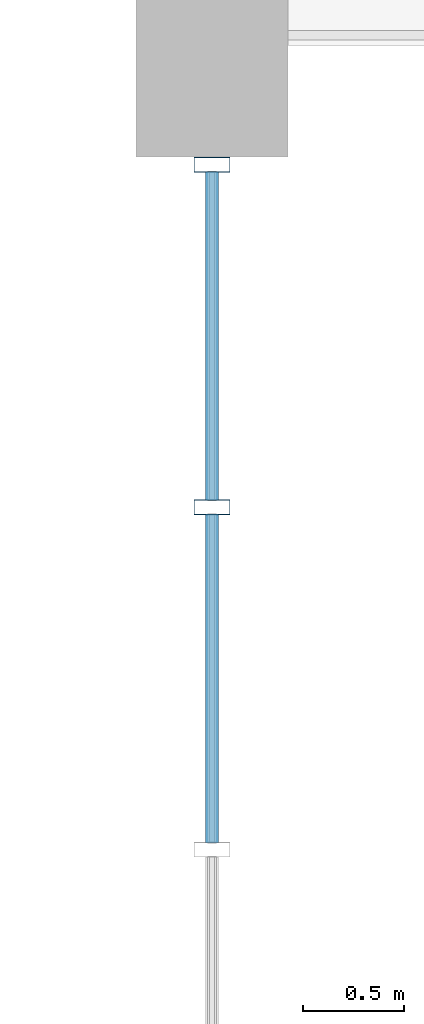
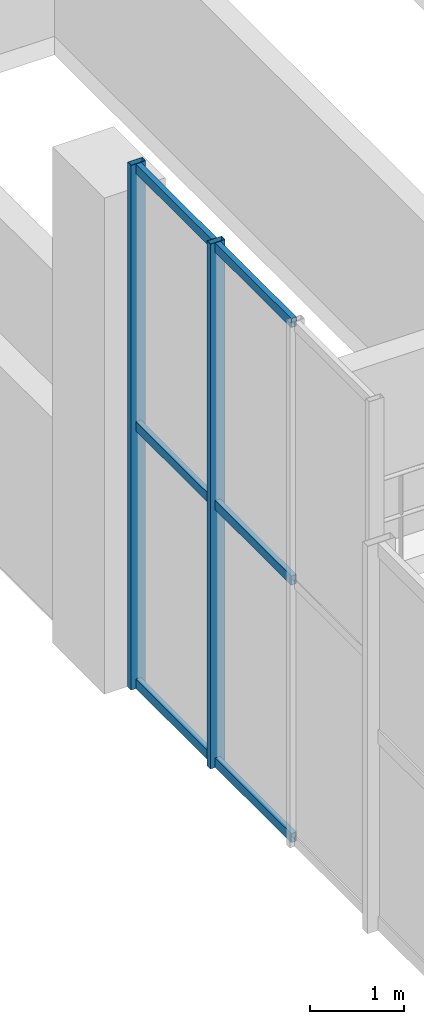
# One storey, part 7 of 28: 8 members, 1 element without a shape of its own.
"""IFC4 building model written with IfcOpenShell, lengths in metres."""

from ifc_helpers import new_model, si_unit, direction, frame, origin, origin_2d, place, context, subcontext, project, spatial, hollow_rectangle, extrude, material, layer, layer_set, material_profile, profile_set, type_object, element, aggregate, save


model = new_model("IFC4")

# Units and contexts
model_context = context("Model", 3, precision=1e-05, world=origin(), true_north=direction((0.0, 1.0)))
body_context = subcontext(model_context, "Body", "Model", "MODEL_VIEW")
ifc_project = project(units=[si_unit("LENGTHUNIT", "METRE"), si_unit("AREAUNIT", "SQUARE_METRE"), si_unit("VOLUMEUNIT", "CUBIC_METRE"), si_unit("PLANEANGLEUNIT", "RADIAN"), si_unit("MASSUNIT", "GRAM", prefix="KILO"), si_unit("POWERUNIT", "WATT"), si_unit("THERMODYNAMICTEMPERATUREUNIT", "KELVIN")], contexts=[model_context])

# Site, building, storey
site_placement = place(None, origin())
site = spatial("IfcSite", under=ifc_project, at=site_placement, CompositionType="ELEMENT")
building_placement = place(site_placement, origin())
building = spatial("IfcBuilding", under=site, at=building_placement, Name="Kelmbourne Parkland Aquatics Centre", CompositionType="ELEMENT")
storey_placement = place(building_placement, frame((0.0, 0.0, 19.199951171875)))
storey = spatial("IfcBuildingStorey", under=building, at=storey_placement, Name="L04", CompositionType="ELEMENT", Elevation=19.199951171875)

# Curtain wall, members
ifc_material = material(Name="Thermally broken anodised aluminium framing", Category="aluminium")
ifc_layer = layer(ifc_material, 0.179931640625)
ifc_layer_set = layer_set([ifc_layer], Name="Thermally broken anodised aluminium framing")
curtain_wall_type = type_object("IfcCurtainWallType", Name="CW-24", PredefinedType="NOTDEFINED", material=ifc_layer_set)
curtain_wall_placement = place(storey_placement, origin())
curtain_wall = element("IfcCurtainWall", 1, at=curtain_wall_placement, inside=storey, type_object=curtain_wall_type, Name="Wave-hall clerestory curtain wall CW-L04-096", PredefinedType="NOTDEFINED")
ifc_material_profile_1 = material_profile(ifc_material, hollow_rectangle(XDim=0.074951171875, YDim=0.179931640625, WallThickness=0.00439453125, at=origin_2d()), Name="CW-M 75x180")
ifc_profile_set_1 = profile_set([ifc_material_profile_1], Name="Thermally broken anodised aluminium framing")
member_type_1 = type_object("IfcMemberType", Name="MB-MUL-2", PredefinedType="MULLION", material=ifc_profile_set_1)
member_1_placement = place(storey_placement, frame((128.0, 101.119384765625, 0.0), z_axis=(0.0, 0.0, 1.0), x_axis=(0.0, 1.0, 0.0)))
member_1 = element("IfcMember", 2, at=member_1_placement, type_object=member_type_1, Name="CW-L04-096 mullion 2", PredefinedType="MULLION", context=body_context, shape_type="SweptSolid", body=[
    extrude(hollow_rectangle(XDim=0.074951171875, YDim=0.179931640625, WallThickness=0.00439453125, at=origin_2d()), origin(), (0.0, 0.0, 1.0), 6.82421875),
])
member_2_placement = place(storey_placement, frame((128.0, 102.810546875, 0.0), z_axis=(0.0, 0.0, 1.0), x_axis=(0.0, 1.0, 0.0)))
member_2 = element("IfcMember", 3, at=member_2_placement, type_object=member_type_1, Name="CW-L04-096 mullion 3", PredefinedType="MULLION", context=body_context, shape_type="SweptSolid", body=[
    extrude(hollow_rectangle(XDim=0.074951171875, YDim=0.179931640625, WallThickness=0.00439453125, at=origin_2d()), origin(), (0.0, 0.0, 1.0), 6.82421875),
])
ifc_material_profile_2 = material_profile(ifc_material, hollow_rectangle(XDim=0.06494140625, YDim=0.1201171875, WallThickness=0.00341796875, at=origin_2d()), Name="CW-T 65x120")
ifc_profile_set_2 = profile_set([ifc_material_profile_2], Name="Thermally broken anodised aluminium framing")
member_type_2 = type_object("IfcMemberType", Name="MB-TRN-1", PredefinedType="USERDEFINED", material=ifc_profile_set_2)
member_3_placement = place(storey_placement, frame((128.0, 99.4619140625, 0.06298828125), z_axis=(0.0, 1.0, 0.0), x_axis=(-1.0, 0.0, 0.0)))
member_3 = element("IfcMember", 4, at=member_3_placement, type_object=member_type_2, Name="CW-L04-096 transom 0-1", ObjectType="TRANSOM", PredefinedType="USERDEFINED", context=body_context, shape_type="SweptSolid", body=[
    extrude(hollow_rectangle(XDim=0.06494140625, YDim=0.1201171875, WallThickness=0.00341796875, at=origin_2d()), origin(), (0.0, 0.0, 1.0), 1.6240234375),
])
member_4_placement = place(storey_placement, frame((128.0, 101.153076171875, 0.06298828125), z_axis=(0.0, 1.0, 0.0), x_axis=(-1.0, 0.0, 0.0)))
member_4 = element("IfcMember", 5, at=member_4_placement, type_object=member_type_2, Name="CW-L04-096 transom 0-2", ObjectType="TRANSOM", PredefinedType="USERDEFINED", context=body_context, shape_type="SweptSolid", body=[
    extrude(hollow_rectangle(XDim=0.06494140625, YDim=0.1201171875, WallThickness=0.00341796875, at=origin_2d()), origin(), (0.0, 0.0, 1.0), 1.6240234375),
])
member_5_placement = place(storey_placement, frame((128.0, 99.4619140625, 3.412109375), z_axis=(0.0, 1.0, 0.0), x_axis=(-1.0, 0.0, 0.0)))
member_5 = element("IfcMember", 6, at=member_5_placement, type_object=member_type_2, Name="CW-L04-096 transom 1-1", ObjectType="TRANSOM", PredefinedType="USERDEFINED", context=body_context, shape_type="SweptSolid", body=[
    extrude(hollow_rectangle(XDim=0.06494140625, YDim=0.1201171875, WallThickness=0.00341796875, at=origin_2d()), origin(), (0.0, 0.0, 1.0), 1.6240234375),
])
member_6_placement = place(storey_placement, frame((128.0, 101.153076171875, 3.412109375), z_axis=(0.0, 1.0, 0.0), x_axis=(-1.0, 0.0, 0.0)))
member_6 = element("IfcMember", 7, at=member_6_placement, type_object=member_type_2, Name="CW-L04-096 transom 1-2", ObjectType="TRANSOM", PredefinedType="USERDEFINED", context=body_context, shape_type="SweptSolid", body=[
    extrude(hollow_rectangle(XDim=0.06494140625, YDim=0.1201171875, WallThickness=0.00341796875, at=origin_2d()), origin(), (0.0, 0.0, 1.0), 1.6240234375),
])
member_7_placement = place(storey_placement, frame((128.0, 99.4619140625, 6.76123046875), z_axis=(0.0, 1.0, 0.0), x_axis=(-1.0, 0.0, 0.0)))
member_7 = element("IfcMember", 8, at=member_7_placement, type_object=member_type_2, Name="CW-L04-096 transom 2-1", ObjectType="TRANSOM", PredefinedType="USERDEFINED", context=body_context, shape_type="SweptSolid", body=[
    extrude(hollow_rectangle(XDim=0.06494140625, YDim=0.1201171875, WallThickness=0.00341796875, at=origin_2d()), origin(), (0.0, 0.0, 1.0), 1.6240234375),
])
member_8_placement = place(storey_placement, frame((128.0, 101.153076171875, 6.76123046875), z_axis=(0.0, 1.0, 0.0), x_axis=(-1.0, 0.0, 0.0)))
member_8 = element("IfcMember", 9, at=member_8_placement, type_object=member_type_2, Name="CW-L04-096 transom 2-2", ObjectType="TRANSOM", PredefinedType="USERDEFINED", context=body_context, shape_type="SweptSolid", body=[
    extrude(hollow_rectangle(XDim=0.06494140625, YDim=0.1201171875, WallThickness=0.00341796875, at=origin_2d()), origin(), (0.0, 0.0, 1.0), 1.6240234375),
])
aggregate(curtain_wall, [member_1, member_2, member_3, member_4, member_5, member_6, member_7, member_8])

save(model, "model.ifc")
